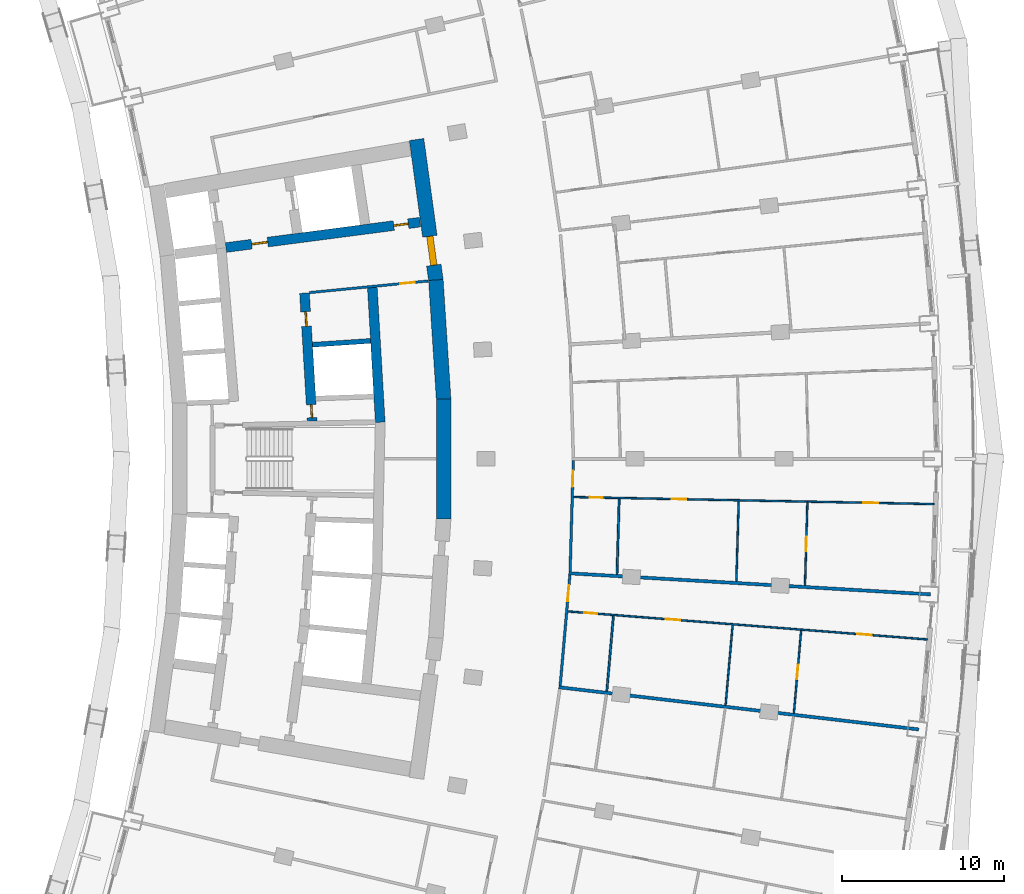
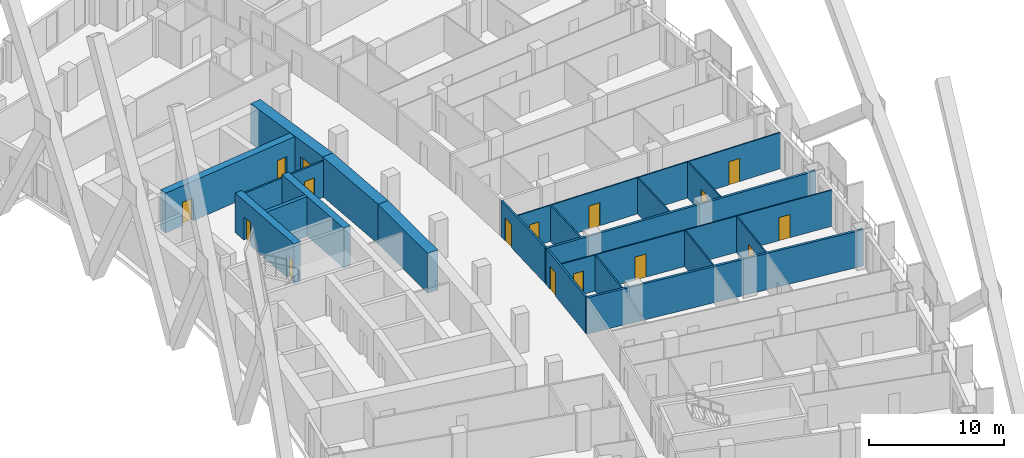
# One storey, part 17 of 25: 20 walls, 16 doors, 16 openings.
"""IFC4 building model written with IfcOpenShell, lengths in metres."""

from ifc_helpers import new_model, si_unit, direction, frame, frame_2d, origin, place, context, subcontext, project, spatial, rectangle, extrude, material, layer, layer_set, type_object, element, fill, save


model = new_model("IFC4")

# Units and contexts
model_context = context("Model", 3, precision=1e-05, world=origin(), true_north=direction((0.0, 1.0)))
body_context = subcontext(model_context, "Body", "Model", "MODEL_VIEW")
ifc_project = project(units=[si_unit("LENGTHUNIT", "METRE"), si_unit("AREAUNIT", "SQUARE_METRE"), si_unit("VOLUMEUNIT", "CUBIC_METRE"), si_unit("PLANEANGLEUNIT", "RADIAN"), si_unit("MASSUNIT", "GRAM", prefix="KILO")], contexts=[model_context])

# Site, building, storey
site_placement = place(None, origin())
site = spatial("IfcSite", under=ifc_project, at=site_placement, CompositionType="ELEMENT")
building_placement = place(site_placement, origin())
building = spatial("IfcBuilding", under=site, at=building_placement, Name="Alderwake Tower", CompositionType="ELEMENT")
storey_placement = place(building_placement, frame((0.0, 0.0, 32.0)))
storey = spatial("IfcBuildingStorey", under=building, at=storey_placement, Name="L06", CompositionType="ELEMENT", Elevation=32.0)

# Wall, opening, door
ifc_material_1 = material(Name="Gypsum shaft wall system, rated")
ifc_layer_1 = layer(ifc_material_1, 0.14990234375)
ifc_layer_set_1 = layer_set([ifc_layer_1], Name="Core room partition 150")
wall_type_1 = type_object("IfcWallType", Name="Core room partition 150", PredefinedType="PARTITIONING", material=ifc_layer_set_1)
wall_1_placement = place(storey_placement, frame((32.233642578125, 71.982177734375, 0.0), z_axis=(0.0, 0.0, 1.0), x_axis=(-0.995245540971, -0.097397706226, 0.0)))
wall_1 = element("IfcWall", 1, at=wall_1_placement, inside=storey, type_object=wall_type_1, Name="CW/L06/PR+102_+86", PredefinedType="PARTITIONING", context=body_context, shape_type="SweptSolid", body=[
    extrude(rectangle(XDim=7.36962890625, YDim=0.14990234375, at=frame_2d((3.684814453125, 0.0))), origin(), (0.0, 0.0, 1.0), 3.280029296875),
])
opening_1_placement = place(wall_1_placement, frame((0.819580078125, 0.0, 0.0)))
opening_1 = element("IfcOpeningElement", 2, at=opening_1_placement, cuts=wall_1, Name="Opening C032", PredefinedType="OPENING", context=body_context, shape_type="SweptSolid", body=[
    extrude(rectangle(XDim=0.89990234375, YDim=2.10009765625, at=frame_2d((0.449951171875, 1.050048828125))), frame((0.0, 0.0849609375, 0.0), z_axis=(0.0, -1.0, 0.0), x_axis=(1.0, 0.0, 0.0)), (0.0, 0.0, 1.0), 0.169921875),
])
ifc_material_2 = material(Name="Painted steel leaf", Category="steel")
door_type_1 = type_object("IfcDoorType", Name="Core room door 900", OperationType="SINGLE_SWING_LEFT", PredefinedType="DOOR", material=ifc_material_2)
door_1_placement = place(opening_1_placement, origin())
door_1 = element("IfcDoor", 3, at=door_1_placement, inside=storey, type_object=door_type_1, Name="Room door", OperationType="SINGLE_SWING_RIGHT", OverallHeight=2.10009765625, OverallWidth=0.89990234375, PredefinedType="DOOR", context=body_context, shape_type="SweptSolid", body=[
    extrude(rectangle(XDim=0.89990234375, YDim=2.10009765625, at=frame_2d((0.449951171875, 1.050048828125))), frame((0.0, 0.02490234375, 0.0), z_axis=(0.0, -1.0, 0.0), x_axis=(1.0, 0.0, 0.0)), (0.0, 0.0, 1.0), 0.050048828125),
])
fill(opening_1, door_1)

# Walls
ifc_material_3 = material(Name="Concrete C70/85", Category="concrete")
ifc_layer_2 = layer(ifc_material_3, 0.89990234375)
ifc_layer_set_2 = layer_set([ifc_layer_2], Name="Core wall outer 900 C70-85")
wall_type_2 = type_object("IfcWallType", Name="Core wall outer 900 C70-85", PredefinedType="SHEAR", material=ifc_layer_set_2)
wall_2_placement = place(storey_placement, frame((33.190185546875, 57.30322265625, 0.0), z_axis=(0.0, 0.0, 1.0), x_axis=(0.0, 1.0, 0.0)))
element("IfcWall", 4, at=wall_2_placement, inside=storey, type_object=wall_type_2, Name="Core wall CW.013", PredefinedType="SHEAR", context=body_context, shape_type="SweptSolid", body=[
    extrude(rectangle(XDim=7.3935546875, YDim=0.89990234375, at=frame_2d((3.69677734375, 0.0))), origin(), (0.0, 0.0, 1.0), 3.60009765625),
])
wall_3_placement = place(storey_placement, frame((33.191162109375, 64.66650390625, 0.0), z_axis=(0.0, 0.0, 1.0), x_axis=(-0.064976219143, 0.997886812693, 0.0)))
element("IfcWall", 5, at=wall_3_placement, inside=storey, type_object=wall_type_2, Name="Core wall CW.010", PredefinedType="SHEAR", context=body_context, shape_type="SweptSolid", body=[
    extrude(rectangle(XDim=7.39453125, YDim=0.89990234375, at=frame_2d((3.697265625, 0.0))), origin(), (0.0, 0.0, 1.0), 3.60009765625),
])

# Wall, opening, door
wall_4_placement = place(storey_placement, frame((31.520263671875, 80.7177734375, 0.0), z_axis=(0.0, 0.0, 1.0), x_axis=(0.135844728876, -0.990730139663, 0.0)))
wall_4 = element("IfcWall", 6, at=wall_4_placement, inside=storey, type_object=wall_type_2, Name="Core wall CW.009", PredefinedType="SHEAR", context=body_context, shape_type="SweptSolid", body=[
    extrude(rectangle(XDim=8.78662109375, YDim=0.89990234375, at=frame_2d((4.393310546875, 0.0))), origin(), (0.0, 0.0, 1.0), 3.60009765625),
])
opening_2_placement = place(wall_4_placement, frame((6.02978515625, 0.0, 0.0)))
opening_2 = element("IfcOpeningElement", 7, at=opening_2_placement, cuts=wall_4, Name="Opening C001", PredefinedType="OPENING", context=body_context, shape_type="SweptSolid", body=[
    extrude(rectangle(XDim=1.800048828125, YDim=2.10009765625, at=frame_2d((0.89990234375, 1.050048828125))), frame((0.0, 0.4599609375, 0.0), z_axis=(0.0, -1.0, 0.0), x_axis=(1.0, 0.0, 0.0)), (0.0, 0.0, 1.0), 0.919921875),
])
ifc_material_4 = material(Name="Steel-framed fire door leaves", Category="steel")
door_type_2 = type_object("IfcDoorType", Name="Core double door 1800 fire-rated", OperationType="DOUBLE_DOOR_SINGLE_SWING", PredefinedType="DOOR", material=ifc_material_4)
door_2_placement = place(opening_2_placement, origin())
door_2 = element("IfcDoor", 8, at=door_2_placement, inside=storey, type_object=door_type_2, Name="Lobby double door", OperationType="DOUBLE_DOOR_SINGLE_SWING", OverallHeight=2.10009765625, OverallWidth=1.800048828125, PredefinedType="DOOR", context=body_context, shape_type="SweptSolid", body=[
    extrude(rectangle(XDim=1.800048828125, YDim=2.10009765625, at=frame_2d((0.89990234375, 1.050048828125))), frame((0.0, 0.199951171875, 0.0), z_axis=(0.0, -1.0, 0.0), x_axis=(1.0, 0.0, 0.0)), (0.0, 0.0, 1.0), 0.39990234375),
])
fill(opening_2, door_2)

# Wall
ifc_material_5 = material(Name="Concrete C70/85", Category="concrete")
ifc_layer_3 = layer(ifc_material_5, 0.300048828125)
ifc_layer_set_3 = layer_set([ifc_layer_3], Name="Core wall shaft 300 C70-85")
wall_type_3 = type_object("IfcWallType", Name="Core wall shaft 300 C70-85", PredefinedType="SHEAR", material=ifc_layer_set_3)
wall_5_placement = place(storey_placement, frame((25.09228515625, 68.04541015625, 0.0), z_axis=(0.0, 0.0, 1.0), x_axis=(0.997761968855, 0.066865936816, 0.0)))
element("IfcWall", 9, at=wall_5_placement, inside=storey, type_object=wall_type_3, Name="Core wall CW.063", PredefinedType="SHEAR", context=body_context, shape_type="SweptSolid", body=[
    extrude(rectangle(XDim=3.596435546875, YDim=0.300048828125, at=frame_2d((1.79833984375, 0.0))), origin(), (0.0, 0.0, 1.0), 3.60009765625),
])

# Wall, openings, doors
ifc_material_6 = material(Name="Concrete C70/85", Category="concrete")
ifc_layer_4 = layer(ifc_material_6, 0.60009765625)
ifc_layer_set_4 = layer_set([ifc_layer_4], Name="Core wall spine 600 C70-85")
wall_type_4 = type_object("IfcWallType", Name="Core wall spine 600 C70-85", PredefinedType="SHEAR", material=ifc_layer_set_4)
wall_6_placement = place(storey_placement, frame((25.073974609375, 63.335693359375, 0.0), z_axis=(0.0, 0.0, 1.0), x_axis=(-0.059848641072, 0.998207463487, 0.0)))
wall_6 = element("IfcWall", 10, at=wall_6_placement, inside=storey, type_object=wall_type_4, Name="Core wall CW.045", PredefinedType="SHEAR", context=body_context, shape_type="SweptSolid", body=[
    extrude(rectangle(XDim=7.913818359375, YDim=0.60009765625, at=frame_2d((3.95703125, 0.0))), origin(), (0.0, 0.0, 1.0), 3.60009765625),
])
opening_3_placement = place(wall_6_placement, frame((0.216064453125, 0.0, 0.0)))
opening_3 = element("IfcOpeningElement", 11, at=opening_3_placement, cuts=wall_6, Name="Opening C005", PredefinedType="OPENING", context=body_context, shape_type="SweptSolid", body=[
    extrude(rectangle(XDim=0.800048828125, YDim=2.0, at=frame_2d((0.39990234375, 1.0))), frame((0.0, 0.31005859375, 0.0), z_axis=(0.0, -1.0, 0.0), x_axis=(1.0, 0.0, 0.0)), (0.0, 0.0, 1.0), 0.6201171875),
])
opening_4_placement = place(wall_6_placement, frame((5.856201171875, 0.0, 0.0)))
opening_4 = element("IfcOpeningElement", 12, at=opening_4_placement, cuts=wall_6, Name="Opening C023", PredefinedType="OPENING", context=body_context, shape_type="SweptSolid", body=[
    extrude(rectangle(XDim=0.89990234375, YDim=2.10009765625, at=frame_2d((0.449951171875, 1.050048828125))), frame((0.0, 0.31005859375, 0.0), z_axis=(0.0, -1.0, 0.0), x_axis=(1.0, 0.0, 0.0)), (0.0, 0.0, 1.0), 0.6201171875),
])
door_3_placement = place(opening_4_placement, origin())
door_3 = element("IfcDoor", 13, at=door_3_placement, inside=storey, type_object=door_type_1, Name="Room door", OperationType="SINGLE_SWING_RIGHT", OverallHeight=2.10009765625, OverallWidth=0.89990234375, PredefinedType="DOOR", context=body_context, shape_type="SweptSolid", body=[
    extrude(rectangle(XDim=0.89990234375, YDim=2.10009765625, at=frame_2d((0.449951171875, 1.050048828125))), frame((0.0, 0.050048828125, 0.0), z_axis=(0.0, -1.0, 0.0), x_axis=(1.0, 0.0, 0.0)), (0.0, 0.0, 1.0), 0.10009765625),
])
fill(opening_4, door_3)
ifc_material_7 = material(Name="Painted steel leaf, rated", Category="steel")
door_type_3 = type_object("IfcDoorType", Name="Riser access door 800", OperationType="SINGLE_SWING_LEFT", PredefinedType="DOOR", material=ifc_material_7)
door_4_placement = place(opening_3_placement, origin())
door_4 = element("IfcDoor", 14, at=door_4_placement, inside=storey, type_object=door_type_3, Name="Riser access door", OperationType="SINGLE_SWING_LEFT", OverallHeight=2.0, OverallWidth=0.800048828125, PredefinedType="DOOR", context=body_context, shape_type="SweptSolid", body=[
    extrude(rectangle(XDim=0.800048828125, YDim=2.0, at=frame_2d((0.39990234375, 1.0))), frame((0.0, 0.050048828125, 0.0), z_axis=(0.0, -1.0, 0.0), x_axis=(1.0, 0.0, 0.0)), (0.0, 0.0, 1.0), 0.10009765625),
])
fill(opening_3, door_4)

# Wall
wall_7_placement = place(storey_placement, frame((29.277099609375, 63.260498046875, 0.0), z_axis=(0.0, 0.0, 1.0), x_axis=(-0.058809712878, 0.99826921102, 0.0)))
element("IfcWall", 15, at=wall_7_placement, inside=storey, type_object=wall_type_4, Name="Core wall CW.002", PredefinedType="SHEAR", context=body_context, shape_type="SweptSolid", body=[
    extrude(rectangle(XDim=8.323486328125, YDim=0.60009765625, at=frame_2d((4.16162109375, 0.0))), origin(), (0.0, 0.0, 1.0), 3.60009765625),
])

# Wall, openings, doors
wall_8_placement = place(storey_placement, frame((31.735595703125, 75.6142578125, 0.0), z_axis=(0.0, 0.0, 1.0), x_axis=(-0.991553829991, -0.129695806526, 0.0)))
wall_8 = element("IfcWall", 16, at=wall_8_placement, inside=storey, type_object=wall_type_4, Name="Core wall CW.052", PredefinedType="SHEAR", context=body_context, shape_type="SweptSolid", body=[
    extrude(rectangle(XDim=12.0869140625, YDim=0.60009765625, at=frame_2d((6.04345703125, 0.0))), origin(), (0.0, 0.0, 1.0), 3.60009765625),
])
opening_5_placement = place(wall_8_placement, frame((9.4873046875, 0.0, 0.0)))
opening_5 = element("IfcOpeningElement", 17, at=opening_5_placement, cuts=wall_8, Name="Opening C002", PredefinedType="OPENING", context=body_context, shape_type="SweptSolid", body=[
    extrude(rectangle(XDim=1.0, YDim=2.10009765625, at=frame_2d((0.5, 1.050048828125))), frame((0.0, 0.31005859375, 0.0), z_axis=(0.0, -1.0, 0.0), x_axis=(1.0, 0.0, 0.0)), (0.0, 0.0, 1.0), 0.6201171875),
])
opening_6_placement = place(wall_8_placement, frame((0.7373046875, 0.0, 0.0)))
opening_6 = element("IfcOpeningElement", 18, at=opening_6_placement, cuts=wall_8, Name="Opening C020", PredefinedType="OPENING", context=body_context, shape_type="SweptSolid", body=[
    extrude(rectangle(XDim=0.89990234375, YDim=2.10009765625, at=frame_2d((0.449951171875, 1.050048828125))), frame((0.0, 0.31005859375, 0.0), z_axis=(0.0, -1.0, 0.0), x_axis=(1.0, 0.0, 0.0)), (0.0, 0.0, 1.0), 0.6201171875),
])
door_5_placement = place(opening_6_placement, origin())
door_5 = element("IfcDoor", 19, at=door_5_placement, inside=storey, type_object=door_type_1, Name="Room door", OperationType="SINGLE_SWING_LEFT", OverallHeight=2.10009765625, OverallWidth=0.89990234375, PredefinedType="DOOR", context=body_context, shape_type="SweptSolid", body=[
    extrude(rectangle(XDim=0.89990234375, YDim=2.10009765625, at=frame_2d((0.449951171875, 1.050048828125))), frame((0.0, 0.050048828125, 0.0), z_axis=(0.0, -1.0, 0.0), x_axis=(1.0, 0.0, 0.0)), (0.0, 0.0, 1.0), 0.10009765625),
])
fill(opening_6, door_5)
ifc_material_8 = material(Name="Steel-framed fire door leaf", Category="steel")
door_type_4 = type_object("IfcDoorType", Name="Firefighting lobby door 1000 fire-rated", OperationType="SINGLE_SWING_LEFT", PredefinedType="DOOR", material=ifc_material_8)
door_6_placement = place(opening_5_placement, origin())
door_6 = element("IfcDoor", 20, at=door_6_placement, inside=storey, type_object=door_type_4, Name="Firefighting lobby door", OperationType="SINGLE_SWING_RIGHT", OverallHeight=2.10009765625, OverallWidth=1.0, PredefinedType="DOOR", context=body_context, shape_type="SweptSolid", body=[
    extrude(rectangle(XDim=1.0, YDim=2.10009765625, at=frame_2d((0.5, 1.050048828125))), frame((0.0, 0.050048828125, 0.0), z_axis=(0.0, -1.0, 0.0), x_axis=(1.0, 0.0, 0.0)), (0.0, 0.0, 1.0), 0.10009765625),
])
fill(opening_5, door_6)

# Wall, opening, door
ifc_material_9 = material(Name="Gypsum board on metal studs, rated")
ifc_layer_5 = layer(ifc_material_9, 0.159912109375)
ifc_layer_set_5 = layer_set([ifc_layer_5], Name="Corridor wall 160")
wall_type_5 = type_object("IfcWallType", Name="Corridor wall 160", PredefinedType="PARTITIONING", material=ifc_layer_set_5)
wall_9_placement = place(storey_placement, frame((40.986328125, 53.834228515625, 0.0), z_axis=(0.0, 0.0, 1.0), x_axis=(-0.087448731147, -0.996169021512, 0.0)))
wall_9 = element("IfcWall", 21, at=wall_9_placement, inside=storey, type_object=wall_type_5, Name="WL/L06/W38", PredefinedType="PARTITIONING", context=body_context, shape_type="SweptSolid", body=[
    extrude(rectangle(XDim=6.867919921875, YDim=0.159912109375, at=frame_2d((3.43408203125, 0.0))), origin(), (0.0, 0.0, 1.0), 3.280029296875),
])
opening_7_placement = place(wall_9_placement, frame((0.628173828125, 0.0, 0.0)))
opening_7 = element("IfcOpeningElement", 22, at=opening_7_placement, cuts=wall_9, Name="Opening R01-U06.3", PredefinedType="OPENING", context=body_context, shape_type="SweptSolid", body=[
    extrude(rectangle(XDim=1.0, YDim=2.10009765625, at=frame_2d((0.5, 1.050048828125))), frame((0.0, 0.08984375, 0.0), z_axis=(0.0, -1.0, 0.0), x_axis=(1.0, 0.0, 0.0)), (0.0, 0.0, 1.0), 0.179931640625),
])
ifc_material_10 = material(Name="Solid timber leaf in steel frame", Category="steel")
door_type_5 = type_object("IfcDoorType", Name="Flat entrance door 1000 fire-rated", OperationType="SINGLE_SWING_LEFT", PredefinedType="DOOR", material=ifc_material_10)
door_7_placement = place(opening_7_placement, origin())
door_7 = element("IfcDoor", 23, at=door_7_placement, inside=storey, type_object=door_type_5, Name="DR/L06/U06.3", OperationType="SINGLE_SWING_LEFT", OverallHeight=2.10009765625, OverallWidth=1.0, PredefinedType="DOOR", context=body_context, shape_type="SweptSolid", body=[
    extrude(rectangle(XDim=1.0, YDim=2.10009765625, at=frame_2d((0.5, 1.050048828125))), frame((0.0, 0.02490234375, 0.0), z_axis=(0.0, -1.0, 0.0), x_axis=(1.0, 0.0, 0.0)), (0.0, 0.0, 1.0), 0.050048828125),
])
fill(opening_7, door_7)

wall_10_placement = place(storey_placement, frame((41.196044921875, 60.89892578125, 0.0), z_axis=(0.0, 0.0, 1.0), x_axis=(-0.028865238788, -0.99958331218, 0.0)))
wall_10 = element("IfcWall", 24, at=wall_10_placement, inside=storey, type_object=wall_type_5, Name="WL/L06/W41", PredefinedType="PARTITIONING", context=body_context, shape_type="SweptSolid", body=[
    extrude(rectangle(XDim=6.867919921875, YDim=0.159912109375, at=frame_2d((3.43408203125, 0.0))), origin(), (0.0, 0.0, 1.0), 3.280029296875),
])
opening_8_placement = place(wall_10_placement, frame((0.627685546875, 0.0, 0.0)))
opening_8 = element("IfcOpeningElement", 25, at=opening_8_placement, cuts=wall_10, Name="Opening R01-U07.3", PredefinedType="OPENING", context=body_context, shape_type="SweptSolid", body=[
    extrude(rectangle(XDim=1.0, YDim=2.10009765625, at=frame_2d((0.5, 1.050048828125))), frame((0.0, 0.08984375, 0.0), z_axis=(0.0, -1.0, 0.0), x_axis=(1.0, 0.0, 0.0)), (0.0, 0.0, 1.0), 0.179931640625),
])
door_8_placement = place(opening_8_placement, origin())
door_8 = element("IfcDoor", 26, at=door_8_placement, inside=storey, type_object=door_type_5, Name="DR/L06/U07.3", OperationType="SINGLE_SWING_LEFT", OverallHeight=2.10009765625, OverallWidth=1.0, PredefinedType="DOOR", context=body_context, shape_type="SweptSolid", body=[
    extrude(rectangle(XDim=1.0, YDim=2.10009765625, at=frame_2d((0.5, 1.050048828125))), frame((0.0, 0.02490234375, 0.0), z_axis=(0.0, -1.0, 0.0), x_axis=(1.0, 0.0, 0.0)), (0.0, 0.0, 1.0), 0.050048828125),
])
fill(opening_8, door_8)

# Walls
ifc_material_11 = material(Name="Dense block masonry wall", Category="masonry")
ifc_layer_6 = layer(ifc_material_11, 0.199951171875)
ifc_layer_set_6 = layer_set([ifc_layer_6], Name="Party wall 200")
wall_type_6 = type_object("IfcWallType", Name="Party wall 200", PredefinedType="SOLIDWALL", material=ifc_layer_set_6)
wall_11_placement = place(storey_placement, frame((62.52294921875, 44.294921875, 0.0), z_axis=(0.0, 0.0, 1.0), x_axis=(-0.993188531932, 0.116518410732, 0.0)))
element("IfcWall", 27, at=wall_11_placement, inside=storey, type_object=wall_type_6, Name="WL/L06/W08", PredefinedType="SOLIDWALL", context=body_context, shape_type="SweptSolid", body=[
    extrude(rectangle(XDim=22.377685546875, YDim=0.199951171875, at=frame_2d((11.18896484375, 0.0))), origin(), (0.0, 0.0, 1.0), 3.280029296875),
])
wall_12_placement = place(storey_placement, frame((63.2548828125, 52.635009765625, 0.0), z_axis=(0.0, 0.0, 1.0), x_axis=(-0.998301502975, 0.058258983497, 0.0)))
element("IfcWall", 28, at=wall_12_placement, inside=storey, type_object=wall_type_6, Name="WL/L06/W09", PredefinedType="SOLIDWALL", context=body_context, shape_type="SweptSolid", body=[
    extrude(rectangle(XDim=22.3779296875, YDim=0.199951171875, at=frame_2d((11.18896484375, 0.0))), origin(), (0.0, 0.0, 1.0), 3.280029296875),
])

# Wall, openings, doors
ifc_material_12 = material(Name="Gypsum board on metal studs")
ifc_layer_7 = layer(ifc_material_12, 0.10009765625)
ifc_layer_set_7 = layer_set([ifc_layer_7], Name="Unit partition 100")
wall_type_7 = type_object("IfcWallType", Name="Unit partition 100", PredefinedType="PARTITIONING", material=ifc_layer_set_7)
wall_13_placement = place(storey_placement, frame((63.06298828125, 49.85107421875, 0.0), z_axis=(0.0, 0.0, 1.0), x_axis=(-0.996973560129, 0.077741368677, 0.0)))
wall_13 = element("IfcWall", 29, at=wall_13_placement, inside=storey, type_object=wall_type_7, Name="WL/L06/W70", PredefinedType="PARTITIONING", context=body_context, shape_type="SweptSolid", body=[
    extrude(rectangle(XDim=22.262451171875, YDim=0.10009765625, at=frame_2d((11.13134765625, 0.0))), origin(), (0.0, 0.0, 1.0), 3.280029296875),
])
opening_9_placement = place(wall_13_placement, frame((15.3037109375, 0.0, 0.0)))
opening_9 = element("IfcOpeningElement", 30, at=opening_9_placement, cuts=wall_13, Name="Opening R01-U06.1", PredefinedType="OPENING", context=body_context, shape_type="SweptSolid", body=[
    extrude(rectangle(XDim=0.89990234375, YDim=2.10009765625, at=frame_2d((0.449951171875, 1.050048828125))), frame((0.0, 0.06005859375, 0.0), z_axis=(0.0, -1.0, 0.0), x_axis=(1.0, 0.0, 0.0)), (0.0, 0.0, 1.0), 0.1201171875),
])
opening_10_placement = place(wall_13_placement, frame((20.453125, 0.0, 0.0)))
opening_10 = element("IfcOpeningElement", 31, at=opening_10_placement, cuts=wall_13, Name="Opening R01-U06.4", PredefinedType="OPENING", context=body_context, shape_type="SweptSolid", body=[
    extrude(rectangle(XDim=0.800048828125, YDim=2.10009765625, at=frame_2d((0.39990234375, 1.050048828125))), frame((0.0, 0.06005859375, 0.0), z_axis=(0.0, -1.0, 0.0), x_axis=(1.0, 0.0, 0.0)), (0.0, 0.0, 1.0), 0.1201171875),
])
opening_11_placement = place(wall_13_placement, frame((3.4599609375, 0.0, 0.0)))
opening_11 = element("IfcOpeningElement", 32, at=opening_11_placement, cuts=wall_13, Name="Opening R01-U06.5", PredefinedType="OPENING", context=body_context, shape_type="SweptSolid", body=[
    extrude(rectangle(XDim=0.89990234375, YDim=2.10009765625, at=frame_2d((0.449951171875, 1.050048828125))), frame((0.0, 0.06005859375, 0.0), z_axis=(0.0, -1.0, 0.0), x_axis=(1.0, 0.0, 0.0)), (0.0, 0.0, 1.0), 0.1201171875),
])
ifc_material_13 = material(Name="Painted timber leaf", Category="wood")
door_type_6 = type_object("IfcDoorType", Name="Bathroom door 800", OperationType="SINGLE_SWING_LEFT", PredefinedType="DOOR", material=ifc_material_13)
door_9_placement = place(opening_10_placement, origin())
door_9 = element("IfcDoor", 33, at=door_9_placement, inside=storey, type_object=door_type_6, Name="DR/L06/U06.4", OperationType="SINGLE_SWING_LEFT", OverallHeight=2.10009765625, OverallWidth=0.800048828125, PredefinedType="DOOR", context=body_context, shape_type="SweptSolid", body=[
    extrude(rectangle(XDim=0.800048828125, YDim=2.10009765625, at=frame_2d((0.39990234375, 1.050048828125))), frame((0.0, 0.02490234375, 0.0), z_axis=(0.0, -1.0, 0.0), x_axis=(1.0, 0.0, 0.0)), (0.0, 0.0, 1.0), 0.050048828125),
])
fill(opening_10, door_9)
ifc_material_14 = material(Name="Painted timber leaf", Category="wood")
door_type_7 = type_object("IfcDoorType", Name="Room door 900", OperationType="SINGLE_SWING_LEFT", PredefinedType="DOOR", material=ifc_material_14)
door_10_placement = place(opening_9_placement, origin())
door_10 = element("IfcDoor", 34, at=door_10_placement, inside=storey, type_object=door_type_7, Name="DR/L06/U06.1", OperationType="SINGLE_SWING_LEFT", OverallHeight=2.10009765625, OverallWidth=0.89990234375, PredefinedType="DOOR", context=body_context, shape_type="SweptSolid", body=[
    extrude(rectangle(XDim=0.89990234375, YDim=2.10009765625, at=frame_2d((0.449951171875, 1.050048828125))), frame((0.0, 0.02490234375, 0.0), z_axis=(0.0, -1.0, 0.0), x_axis=(1.0, 0.0, 0.0)), (0.0, 0.0, 1.0), 0.050048828125),
])
fill(opening_9, door_10)
door_11_placement = place(opening_11_placement, origin())
door_11 = element("IfcDoor", 35, at=door_11_placement, inside=storey, type_object=door_type_7, Name="DR/L06/U06.5", OperationType="SINGLE_SWING_LEFT", OverallHeight=2.10009765625, OverallWidth=0.89990234375, PredefinedType="DOOR", context=body_context, shape_type="SweptSolid", body=[
    extrude(rectangle(XDim=0.89990234375, YDim=2.10009765625, at=frame_2d((0.449951171875, 1.050048828125))), frame((0.0, 0.02490234375, 0.0), z_axis=(0.0, -1.0, 0.0), x_axis=(1.0, 0.0, 0.0)), (0.0, 0.0, 1.0), 0.050048828125),
])
fill(opening_11, door_11)

wall_14_placement = place(storey_placement, frame((63.468017578125, 58.208984375, 0.0), z_axis=(0.0, 0.0, 1.0), x_axis=(-0.999810526319, 0.019465648238, 0.0)))
wall_14 = element("IfcWall", 36, at=wall_14_placement, inside=storey, type_object=wall_type_7, Name="WL/L06/W72", PredefinedType="PARTITIONING", context=body_context, shape_type="SweptSolid", body=[
    extrude(rectangle(XDim=22.26220703125, YDim=0.10009765625, at=frame_2d((11.131103515625, 0.0))), origin(), (0.0, 0.0, 1.0), 3.280029296875),
])
opening_12_placement = place(wall_14_placement, frame((15.302001953125, 0.0, 0.0)))
opening_12 = element("IfcOpeningElement", 37, at=opening_12_placement, cuts=wall_14, Name="Opening R01-U07.1", PredefinedType="OPENING", context=body_context, shape_type="SweptSolid", body=[
    extrude(rectangle(XDim=0.89990234375, YDim=2.10009765625, at=frame_2d((0.449951171875, 1.050048828125))), frame((0.0, 0.06005859375, 0.0), z_axis=(0.0, -1.0, 0.0), x_axis=(1.0, 0.0, 0.0)), (0.0, 0.0, 1.0), 0.1201171875),
])
opening_13_placement = place(wall_14_placement, frame((20.4521484375, 0.0, 0.0)))
opening_13 = element("IfcOpeningElement", 38, at=opening_13_placement, cuts=wall_14, Name="Opening R01-U07.4", PredefinedType="OPENING", context=body_context, shape_type="SweptSolid", body=[
    extrude(rectangle(XDim=0.800048828125, YDim=2.10009765625, at=frame_2d((0.39990234375, 1.050048828125))), frame((0.0, 0.06005859375, 0.0), z_axis=(0.0, -1.0, 0.0), x_axis=(1.0, 0.0, 0.0)), (0.0, 0.0, 1.0), 0.1201171875),
])
opening_14_placement = place(wall_14_placement, frame((3.458984375, 0.0, 0.0)))
opening_14 = element("IfcOpeningElement", 39, at=opening_14_placement, cuts=wall_14, Name="Opening R01-U07.5", PredefinedType="OPENING", context=body_context, shape_type="SweptSolid", body=[
    extrude(rectangle(XDim=0.89990234375, YDim=2.10009765625, at=frame_2d((0.449951171875, 1.050048828125))), frame((0.0, 0.06005859375, 0.0), z_axis=(0.0, -1.0, 0.0), x_axis=(1.0, 0.0, 0.0)), (0.0, 0.0, 1.0), 0.1201171875),
])
door_12_placement = place(opening_13_placement, origin())
door_12 = element("IfcDoor", 40, at=door_12_placement, inside=storey, type_object=door_type_6, Name="DR/L06/U07.4", OperationType="SINGLE_SWING_LEFT", OverallHeight=2.10009765625, OverallWidth=0.800048828125, PredefinedType="DOOR", context=body_context, shape_type="SweptSolid", body=[
    extrude(rectangle(XDim=0.800048828125, YDim=2.10009765625, at=frame_2d((0.39990234375, 1.050048828125))), frame((0.0, 0.02490234375, 0.0), z_axis=(0.0, -1.0, 0.0), x_axis=(1.0, 0.0, 0.0)), (0.0, 0.0, 1.0), 0.050048828125),
])
fill(opening_13, door_12)
door_13_placement = place(opening_12_placement, origin())
door_13 = element("IfcDoor", 41, at=door_13_placement, inside=storey, type_object=door_type_7, Name="DR/L06/U07.1", OperationType="SINGLE_SWING_LEFT", OverallHeight=2.10009765625, OverallWidth=0.89990234375, PredefinedType="DOOR", context=body_context, shape_type="SweptSolid", body=[
    extrude(rectangle(XDim=0.89990234375, YDim=2.10009765625, at=frame_2d((0.449951171875, 1.050048828125))), frame((0.0, 0.02490234375, 0.0), z_axis=(0.0, -1.0, 0.0), x_axis=(1.0, 0.0, 0.0)), (0.0, 0.0, 1.0), 0.050048828125),
])
fill(opening_12, door_13)
door_14_placement = place(opening_14_placement, origin())
door_14 = element("IfcDoor", 42, at=door_14_placement, inside=storey, type_object=door_type_7, Name="DR/L06/U07.5", OperationType="SINGLE_SWING_LEFT", OverallHeight=2.10009765625, OverallWidth=0.89990234375, PredefinedType="DOOR", context=body_context, shape_type="SweptSolid", body=[
    extrude(rectangle(XDim=0.89990234375, YDim=2.10009765625, at=frame_2d((0.449951171875, 1.050048828125))), frame((0.0, 0.02490234375, 0.0), z_axis=(0.0, -1.0, 0.0), x_axis=(1.0, 0.0, 0.0)), (0.0, 0.0, 1.0), 0.050048828125),
])
fill(opening_14, door_14)

# Walls
wall_15_placement = place(storey_placement, frame((50.597900390625, 45.795654296875, 0.0), z_axis=(0.0, 0.0, 1.0), x_axis=(0.087406882324, 0.996172694327, 0.0)))
element("IfcWall", 43, at=wall_15_placement, inside=storey, type_object=wall_type_7, Name="WL/L06/W80", PredefinedType="PARTITIONING", context=body_context, shape_type="SweptSolid", body=[
    extrude(rectangle(XDim=4.960693359375, YDim=0.10009765625, at=frame_2d((2.48046875, 0.0))), origin(), (0.0, 0.0, 1.0), 3.280029296875),
])
wall_16_placement = place(storey_placement, frame((51.260986328125, 53.43408203125, 0.0), z_axis=(0.0, 0.0, 1.0), x_axis=(0.029312335146, 0.999570301184, 0.0)))
element("IfcWall", 44, at=wall_16_placement, inside=storey, type_object=wall_type_7, Name="WL/L06/W82", PredefinedType="PARTITIONING", context=body_context, shape_type="SweptSolid", body=[
    extrude(rectangle(XDim=4.964111328125, YDim=0.10009765625, at=frame_2d((2.48193359375, 0.0))), origin(), (0.0, 0.0, 1.0), 3.280029296875),
])

# Wall, opening, door
wall_17_placement = place(storey_placement, frame((54.815673828125, 45.30078125, 0.0), z_axis=(0.0, 0.0, 1.0), x_axis=(0.087018058121, 0.996206734348, 0.0)))
wall_17 = element("IfcWall", 45, at=wall_17_placement, inside=storey, type_object=wall_type_7, Name="WL/L06/W88", PredefinedType="PARTITIONING", context=body_context, shape_type="SweptSolid", body=[
    extrude(rectangle(XDim=5.1259765625, YDim=0.10009765625, at=frame_2d((2.56298828125, 0.0))), origin(), (0.0, 0.0, 1.0), 3.280029296875),
])
opening_15_placement = place(wall_17_placement, frame((2.113037109375, 0.0, 0.0)))
opening_15 = element("IfcOpeningElement", 46, at=opening_15_placement, cuts=wall_17, Name="Opening R01-U06.2", PredefinedType="OPENING", context=body_context, shape_type="SweptSolid", body=[
    extrude(rectangle(XDim=0.89990234375, YDim=2.10009765625, at=frame_2d((0.449951171875, 1.050048828125))), frame((0.0, 0.06005859375, 0.0), z_axis=(0.0, -1.0, 0.0), x_axis=(1.0, 0.0, 0.0)), (0.0, 0.0, 1.0), 0.1201171875),
])
door_15_placement = place(opening_15_placement, origin())
door_15 = element("IfcDoor", 47, at=door_15_placement, inside=storey, type_object=door_type_7, Name="DR/L06/U06.2", OperationType="SINGLE_SWING_LEFT", OverallHeight=2.10009765625, OverallWidth=0.89990234375, PredefinedType="DOOR", context=body_context, shape_type="SweptSolid", body=[
    extrude(rectangle(XDim=0.89990234375, YDim=2.10009765625, at=frame_2d((0.449951171875, 1.050048828125))), frame((0.0, 0.02490234375, 0.0), z_axis=(0.0, -1.0, 0.0), x_axis=(1.0, 0.0, 0.0)), (0.0, 0.0, 1.0), 0.050048828125),
])
fill(opening_15, door_15)

wall_18_placement = place(storey_placement, frame((55.5, 53.18798828125, 0.0), z_axis=(0.0, 0.0, 1.0), x_axis=(0.029004373183, 0.999579284667, 0.0)))
wall_18 = element("IfcWall", 48, at=wall_18_placement, inside=storey, type_object=wall_type_7, Name="WL/L06/W89", PredefinedType="PARTITIONING", context=body_context, shape_type="SweptSolid", body=[
    extrude(rectangle(XDim=5.126220703125, YDim=0.10009765625, at=frame_2d((2.56298828125, 0.0))), origin(), (0.0, 0.0, 1.0), 3.280029296875),
])
opening_16_placement = place(wall_18_placement, frame((2.113037109375, 0.0, 0.0)))
opening_16 = element("IfcOpeningElement", 49, at=opening_16_placement, cuts=wall_18, Name="Opening R01-U07.2", PredefinedType="OPENING", context=body_context, shape_type="SweptSolid", body=[
    extrude(rectangle(XDim=0.89990234375, YDim=2.10009765625, at=frame_2d((0.449951171875, 1.050048828125))), frame((0.0, 0.06005859375, 0.0), z_axis=(0.0, -1.0, 0.0), x_axis=(1.0, 0.0, 0.0)), (0.0, 0.0, 1.0), 0.1201171875),
])
door_16_placement = place(opening_16_placement, origin())
door_16 = element("IfcDoor", 50, at=door_16_placement, inside=storey, type_object=door_type_7, Name="DR/L06/U07.2", OperationType="SINGLE_SWING_LEFT", OverallHeight=2.10009765625, OverallWidth=0.89990234375, PredefinedType="DOOR", context=body_context, shape_type="SweptSolid", body=[
    extrude(rectangle(XDim=0.89990234375, YDim=2.10009765625, at=frame_2d((0.449951171875, 1.050048828125))), frame((0.0, 0.02490234375, 0.0), z_axis=(0.0, -1.0, 0.0), x_axis=(1.0, 0.0, 0.0)), (0.0, 0.0, 1.0), 0.050048828125),
])
fill(opening_16, door_16)

# Walls
ifc_material_15 = material(Name="Moisture resistant gypsum board on metal studs")
ifc_layer_8 = layer(ifc_material_15, 0.1201171875)
ifc_layer_set_8 = layer_set([ifc_layer_8], Name="Wet room partition 120")
wall_type_8 = type_object("IfcWallType", Name="Wet room partition 120", PredefinedType="PARTITIONING", material=ifc_layer_set_8)
wall_19_placement = place(storey_placement, frame((43.265625, 46.65380859375, 0.0), z_axis=(0.0, 0.0, 1.0), x_axis=(0.087069112872, 0.996202273428, 0.0)))
element("IfcWall", 51, at=wall_19_placement, inside=storey, type_object=wall_type_8, Name="WL/L06/W59", PredefinedType="PARTITIONING", context=body_context, shape_type="SweptSolid", body=[
    extrude(rectangle(XDim=4.67431640625, YDim=0.1201171875, at=frame_2d((2.337158203125, 0.0))), origin(), (0.0, 0.0, 1.0), 3.280029296875),
])
wall_20_placement = place(storey_placement, frame((43.892822265625, 53.865966796875, 0.0), z_axis=(0.0, 0.0, 1.0), x_axis=(0.029256273894, 0.999571943603, 0.0)))
element("IfcWall", 52, at=wall_20_placement, inside=storey, type_object=wall_type_8, Name="WL/L06/W61", PredefinedType="PARTITIONING", context=body_context, shape_type="SweptSolid", body=[
    extrude(rectangle(XDim=4.673095703125, YDim=0.1201171875, at=frame_2d((2.33642578125, 0.0))), origin(), (0.0, 0.0, 1.0), 3.280029296875),
])

save(model, "model.ifc")
